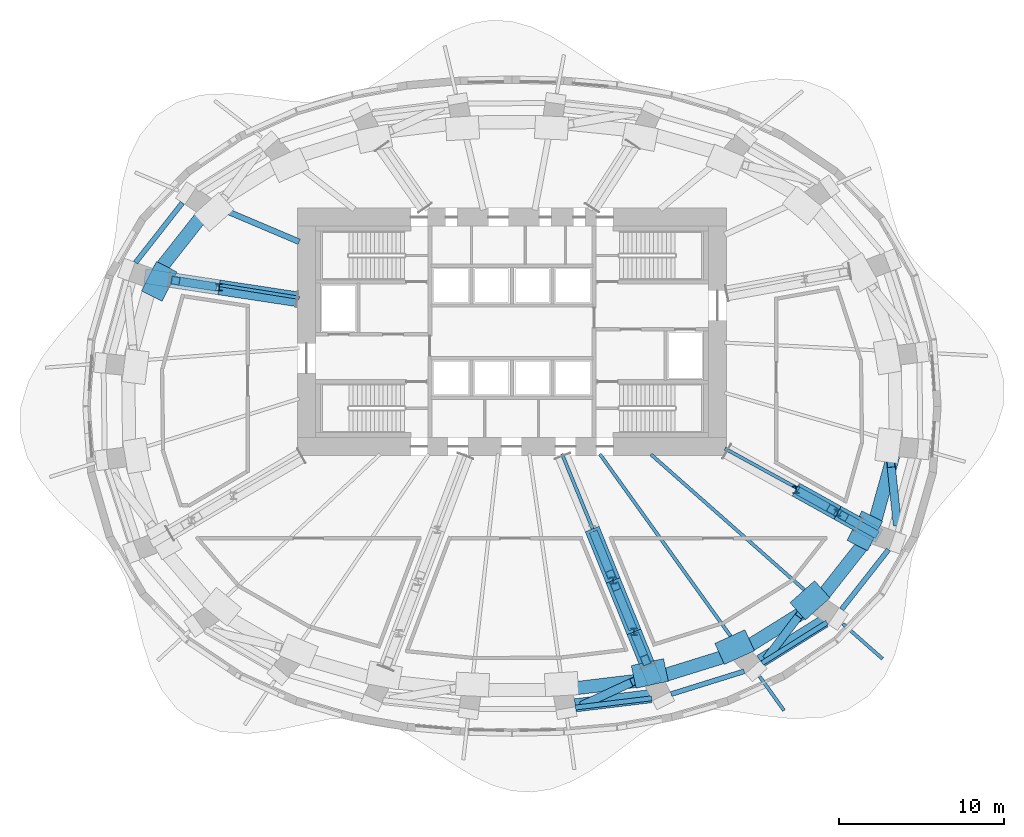
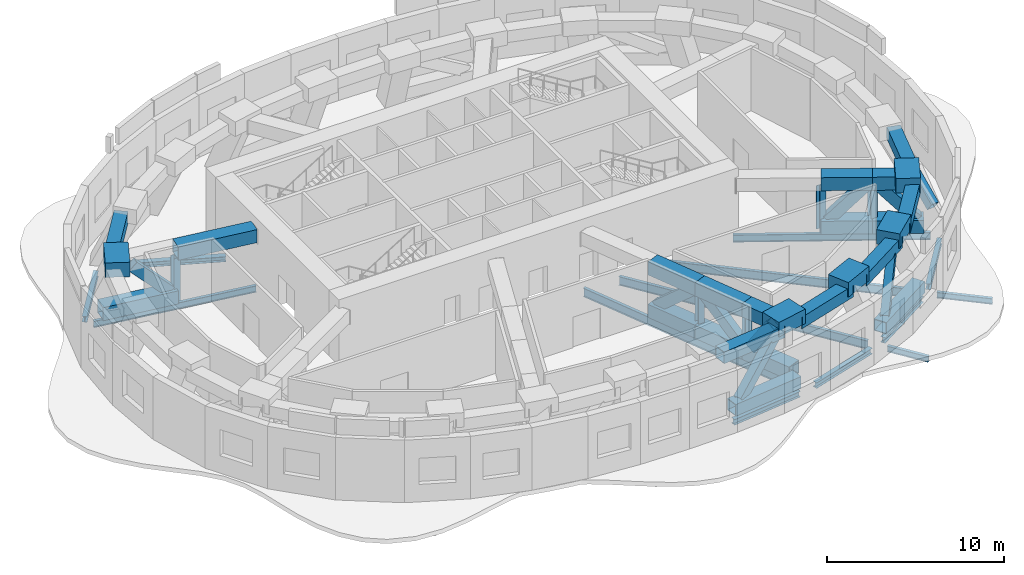
# One storey, part 3 of 11: 34 members, 18 beams.
"""IFC4 building model written with IfcOpenShell, lengths in metres."""

from ifc_helpers import new_model, si_unit, direction, frame, origin, origin_2d, place, context, subcontext, project, spatial, rectangle, hollow_rectangle, i_section, extrude, material, material_profile, profile_set, type_object, element, save


model = new_model("IFC4")

# Units and contexts
model_context = context("Model", 3, precision=1e-05, world=origin(), true_north=direction((0.0, 1.0)))
body_context = subcontext(model_context, "Body", "Model", "MODEL_VIEW")
ifc_project = project(units=[si_unit("LENGTHUNIT", "METRE"), si_unit("AREAUNIT", "SQUARE_METRE"), si_unit("VOLUMEUNIT", "CUBIC_METRE"), si_unit("PLANEANGLEUNIT", "RADIAN"), si_unit("MASSUNIT", "GRAM", prefix="KILO")], contexts=[model_context])

# Site, building, storey
site_placement = place(None, origin())
site = spatial("IfcSite", under=ifc_project, at=site_placement, CompositionType="ELEMENT")
building_placement = place(site_placement, origin())
building = spatial("IfcBuilding", under=site, at=building_placement, Name="Rubra Terraces Tower", CompositionType="ELEMENT")
storey_placement = place(building_placement, frame((0.0, 0.0, 121.199951171875)))
storey = spatial("IfcBuildingStorey", under=building, at=storey_placement, Name="L29", CompositionType="ELEMENT", Elevation=121.199951171875)

# Members
ifc_material_1 = material(Name="Steel Q355B", Category="steel")
ifc_material_profile_1 = material_profile(ifc_material_1, hollow_rectangle(XDim=0.800048828125, YDim=0.800048828125, WallThickness=0.0400390625, at=origin_2d()), Name="BOX 800x800x40")
ifc_profile_set_1 = profile_set([ifc_material_profile_1], Name="Steel Q355B")
member_type_1 = type_object("IfcMemberType", Name="BELT TRUSS BOTTOM CHORD R3 BOX 800x800x40", PredefinedType="CHORD", material=ifc_profile_set_1)
member_1_placement = place(storey_placement, frame((3.826904296875, -18.125, 0.400146484375), z_axis=(0.99273052313, 0.120358250431, 0.0), x_axis=(-0.120358250431, 0.99273052313, 0.0)))
element("IfcMember", 1, at=member_1_placement, inside=storey, type_object=member_type_1, Name="BELT TRUSS CHORD R3", PredefinedType="CHORD", context=body_context, shape_type="SweptSolid", body=[
    extrude(hollow_rectangle(XDim=0.800048828125, YDim=0.800048828125, WallThickness=0.0400390625, at=origin_2d()), origin(), (0.0, 0.0, 1.0), 4.610595703125),
])
member_2_placement = place(storey_placement, frame((15.049072265625, -15.448974609375, 0.400146484375), z_axis=(0.848326493206, 0.529473475185, 0.0), x_axis=(-0.529473475185, 0.848326493206, 0.0)))
element("IfcMember", 2, at=member_2_placement, inside=storey, type_object=member_type_1, Name="BELT TRUSS CHORD R3", PredefinedType="CHORD", context=body_context, shape_type="SweptSolid", body=[
    extrude(hollow_rectangle(XDim=0.800048828125, YDim=0.800048828125, WallThickness=0.0400390625, at=origin_2d()), origin(), (0.0, 0.0, 1.0), 4.594970703125),
])
ifc_material_profile_2 = material_profile(ifc_material_1, hollow_rectangle(XDim=0.5, YDim=0.699951171875, WallThickness=0.030029296875, at=origin_2d()), Name="BOX 700x500x30")
ifc_profile_set_2 = profile_set([ifc_material_profile_2], Name="Steel Q355B")
member_type_2 = type_object("IfcMemberType", Name="BELT TRUSS DIAGONAL R3 BOX 700x500x30", PredefinedType="BRACE", material=ifc_profile_set_2)
member_3_placement = place(storey_placement, frame((4.3759765625, -18.05810546875, 0.699951171875), z_axis=(0.731426800334, 0.33774933468, 0.592402078556), x_axis=(-0.419229807783, 0.907880150827, 0.0)))
element("IfcMember", 3, at=member_3_placement, inside=storey, type_object=member_type_2, Name="BELT TRUSS DIAGONAL R3", PredefinedType="BRACE", context=body_context, shape_type="SweptSolid", body=[
    extrude(hollow_rectangle(XDim=0.5, YDim=0.699951171875, WallThickness=0.030029296875, at=origin_2d()), origin(), (0.0, 0.0, 1.0), 4.142578125),
])
member_4_placement = place(storey_placement, frame((15.51708984375, -15.156982421875, 0.699951171875), z_axis=(0.48074670976, 0.633801994534, 0.605951840314), x_axis=(-0.796732789798, 0.604331748016, 0.0)))
element("IfcMember", 4, at=member_4_placement, inside=storey, type_object=member_type_2, Name="BELT TRUSS DIAGONAL R3", PredefinedType="BRACE", context=body_context, shape_type="SweptSolid", body=[
    extrude(hollow_rectangle(XDim=0.5, YDim=0.699951171875, WallThickness=0.030029296875, at=origin_2d()), origin(), (0.0, 0.0, 1.0), 4.050048828125),
])
member_5_placement = place(storey_placement, frame((23.3310546875, -7.0439453125, 0.699951171875), z_axis=(-0.087038196153, 0.818328598764, 0.568122043979), x_axis=(-0.994391218611, -0.105764381287, 0.0)))
element("IfcMember", 5, at=member_5_placement, inside=storey, type_object=member_type_2, Name="BELT TRUSS DIAGONAL R3", PredefinedType="BRACE", context=body_context, shape_type="SweptSolid", body=[
    extrude(hollow_rectangle(XDim=0.5, YDim=0.699951171875, WallThickness=0.030029296875, at=origin_2d()), origin(), (0.0, 0.0, 1.0), 4.319580078125),
])
ifc_material_profile_3 = material_profile(ifc_material_1, hollow_rectangle(XDim=0.800048828125, YDim=0.800048828125, WallThickness=0.0400390625, at=origin_2d()), Name="BOX 800x800x40")
ifc_profile_set_3 = profile_set([ifc_material_profile_3], Name="Steel Q355B")
member_type_3 = type_object("IfcMemberType", Name="BELT TRUSS TOP CHORD R3 BOX 800x800x40", PredefinedType="CHORD", material=ifc_profile_set_3)
member_6_placement = place(storey_placement, frame((-18.780029296875, 11.530029296875, 3.4541015625), z_axis=(-0.618569378741, -0.785730185041, 0.0), x_axis=(0.785730185041, -0.618569378741, 0.0)))
element("IfcMember", 6, at=member_6_placement, inside=storey, type_object=member_type_3, Name="BELT TRUSS CHORD R3", PredefinedType="CHORD", context=body_context, shape_type="SweptSolid", body=[
    extrude(hollow_rectangle(XDim=0.800048828125, YDim=0.800048828125, WallThickness=0.0400390625, at=origin_2d()), origin(), (0.0, 0.0, 1.0), 4.26611328125),
])
member_7_placement = place(storey_placement, frame((3.654052734375, -17.111083984375, 3.4541015625), z_axis=(0.992808082678, 0.119716794854, 0.0), x_axis=(-0.119716794854, 0.992808082678, 0.0)))
element("IfcMember", 7, at=member_7_placement, inside=storey, type_object=member_type_3, Name="BELT TRUSS CHORD R3", PredefinedType="CHORD", context=body_context, shape_type="SweptSolid", body=[
    extrude(hollow_rectangle(XDim=0.800048828125, YDim=0.800048828125, WallThickness=0.0400390625, at=origin_2d()), origin(), (0.0, 0.0, 1.0), 4.294921875),
])
member_8_placement = place(storey_placement, frame((9.0859375, -16.346923828125, 3.4541015625), z_axis=(0.954906259702, 0.296907452218, 0.0), x_axis=(-0.296907452218, 0.954906259702, 0.0)))
element("IfcMember", 8, at=member_8_placement, inside=storey, type_object=member_type_3, Name="BELT TRUSS CHORD R3", PredefinedType="CHORD", context=body_context, shape_type="SweptSolid", body=[
    extrude(hollow_rectangle(XDim=0.800048828125, YDim=0.800048828125, WallThickness=0.0400390625, at=origin_2d()), origin(), (0.0, 0.0, 1.0), 4.29052734375),
])
member_9_placement = place(storey_placement, frame((14.264892578125, -14.577880859375, 3.4541015625), z_axis=(0.84926804455, 0.527961919561, 0.0), x_axis=(-0.527961919561, 0.84926804455, 0.0)))
element("IfcMember", 9, at=member_9_placement, inside=storey, type_object=member_type_3, Name="BELT TRUSS CHORD R3", PredefinedType="CHORD", context=body_context, shape_type="SweptSolid", body=[
    extrude(hollow_rectangle(XDim=0.800048828125, YDim=0.800048828125, WallThickness=0.0400390625, at=origin_2d()), origin(), (0.0, 0.0, 1.0), 4.2802734375),
])
member_10_placement = place(storey_placement, frame((18.780029296875, -11.530029296875, 3.4541015625), z_axis=(0.618569378741, 0.785730185041, 0.0), x_axis=(-0.785730185041, 0.618569378741, 0.0)))
element("IfcMember", 10, at=member_10_placement, inside=storey, type_object=member_type_3, Name="BELT TRUSS CHORD R3", PredefinedType="CHORD", context=body_context, shape_type="SweptSolid", body=[
    extrude(hollow_rectangle(XDim=0.800048828125, YDim=0.800048828125, WallThickness=0.0400390625, at=origin_2d()), origin(), (0.0, 0.0, 1.0), 4.26611328125),
])
member_11_placement = place(storey_placement, frame((21.949951171875, -7.1279296875, 3.4541015625), z_axis=(0.26783858827, 0.963463798299, 0.0), x_axis=(-0.963463798299, 0.26783858827, 0.0)))
element("IfcMember", 11, at=member_11_placement, inside=storey, type_object=member_type_3, Name="BELT TRUSS CHORD R3", PredefinedType="CHORD", context=body_context, shape_type="SweptSolid", body=[
    extrude(hollow_rectangle(XDim=0.800048828125, YDim=0.800048828125, WallThickness=0.0400390625, at=origin_2d()), origin(), (0.0, 0.0, 1.0), 4.267822265625),
])

# Beams
ifc_material_profile_4 = material_profile(ifc_material_1, i_section(OverallWidth=0.199951171875, OverallDepth=0.39990234375, WebThickness=0.008056640625, FlangeThickness=0.012939453125, at=origin_2d()), Name="HN 400x200x8x13")
ifc_profile_set_4 = profile_set([ifc_material_profile_4], Name="Steel Q355B")
beam_type_1 = type_object("IfcBeamType", Name="CANTILEVER BEAM HN 400x200x8x13", PredefinedType="BEAM", material=ifc_profile_set_4)
beam_1_placement = place(storey_placement, frame((15.0, -16.376953125, -0.5), z_axis=(0.583203525361, -0.812326072465, 0.0), x_axis=(0.812326072465, 0.583203525361, 0.0)))
element("IfcBeam", 12, at=beam_1_placement, inside=storey, type_object=beam_type_1, Name="beam-L29-cant-21", PredefinedType="BEAM", context=body_context, shape_type="SweptSolid", body=[
    extrude(i_section(OverallWidth=0.199951171875, OverallDepth=0.39990234375, WebThickness=0.008056640625, FlangeThickness=0.012939453125, at=origin_2d()), origin(), (0.0, 0.0, 1.0), 2.535888671875),
])
beam_2_placement = place(storey_placement, frame((20.0458984375, -13.18994140625, -0.5), z_axis=(0.749889181916, -0.661563462447, 0.0), x_axis=(0.661563462447, 0.749889181916, 0.0)))
element("IfcBeam", 13, at=beam_2_placement, inside=storey, type_object=beam_type_1, Name="beam-L29-cant-22", PredefinedType="BEAM", context=body_context, shape_type="SweptSolid", body=[
    extrude(i_section(OverallWidth=0.199951171875, OverallDepth=0.39990234375, WebThickness=0.008056640625, FlangeThickness=0.012939453125, at=origin_2d()), origin(), (0.0, 0.0, 1.0), 3.192626953125),
])
ifc_material_profile_5 = material_profile(ifc_material_1, i_section(OverallWidth=0.198974609375, OverallDepth=0.446044921875, WebThickness=0.008056640625, FlangeThickness=0.011962890625, at=origin_2d()), Name="HN 446x199x8x12")
ifc_profile_set_5 = profile_set([ifc_material_profile_5], Name="Steel Q355B")
beam_type_2 = type_object("IfcBeamType", Name="FLOOR BEAM HN 446x199x8x12", PredefinedType="BEAM", material=ifc_profile_set_5)
beam_3_placement = place(storey_placement, frame((-22.56298828125, 8.110107421875, -0.52294921875), z_axis=(0.987438611706, -0.158003126908, 0.0), x_axis=(0.158003126908, 0.987438611706, 0.0)))
element("IfcBeam", 14, at=beam_3_placement, inside=storey, type_object=beam_type_2, Name="beam-L29-floor-11", PredefinedType="BEAM", context=body_context, shape_type="SweptSolid", body=[
    extrude(i_section(OverallWidth=0.198974609375, OverallDepth=0.446044921875, WebThickness=0.008056640625, FlangeThickness=0.011962890625, at=origin_2d()), origin(), (0.0, 0.0, 1.0), 9.803955078125),
])
ifc_material_profile_6 = material_profile(ifc_material_1, i_section(OverallWidth=0.198974609375, OverallDepth=0.49609375, WebThickness=0.009033203125, FlangeThickness=0.013916015625, at=origin_2d()), Name="HN 496x199x9x14")
ifc_profile_set_6 = profile_set([ifc_material_profile_6], Name="Steel Q355B")
beam_type_3 = type_object("IfcBeamType", Name="FLOOR BEAM HN 496x199x9x14", PredefinedType="BEAM", material=ifc_profile_set_6)
beam_4_placement = place(storey_placement, frame((22.658935546875, -7.9208984375, -0.5478515625), z_axis=(-0.876910796921, 0.480653153785, 0.0), x_axis=(-0.480653153785, -0.876910796921, 0.0)))
element("IfcBeam", 15, at=beam_4_placement, inside=storey, type_object=beam_type_3, Name="beam-L29-floor-23", PredefinedType="BEAM", context=body_context, shape_type="SweptSolid", body=[
    extrude(i_section(OverallWidth=0.198974609375, OverallDepth=0.49609375, WebThickness=0.009033203125, FlangeThickness=0.013916015625, at=origin_2d()), origin(), (0.0, 0.0, 1.0), 11.134521484375),
])
ifc_material_profile_7 = material_profile(ifc_material_1, i_section(OverallWidth=0.198974609375, OverallDepth=0.595947265625, WebThickness=0.010009765625, FlangeThickness=0.014892578125, at=origin_2d()), Name="HN 596x199x10x15")
ifc_profile_set_7 = profile_set([ifc_material_profile_7], Name="Steel Q355B")
beam_type_4 = type_object("IfcBeamType", Name="FLOOR BEAM HN 596x199x10x15", PredefinedType="BEAM", material=ifc_profile_set_7)
beam_5_placement = place(storey_placement, frame((8.83203125, -17.06103515625, -0.597900390625), z_axis=(-0.379038143634, 0.925381048904, 0.0), x_axis=(-0.925381048904, -0.379038143634, 0.0)))
element("IfcBeam", 16, at=beam_5_placement, inside=storey, type_object=beam_type_4, Name="beam-L29-floor-20", PredefinedType="BEAM", context=body_context, shape_type="SweptSolid", body=[
    extrude(i_section(OverallWidth=0.198974609375, OverallDepth=0.595947265625, WebThickness=0.010009765625, FlangeThickness=0.014892578125, at=origin_2d()), origin(), (0.0, 0.0, 1.0), 15.31494140625),
])
beam_6_placement = place(storey_placement, frame((14.285888671875, -15.385009765625, -0.597900390625), z_axis=(-0.583480892091, 0.812126867284, 0.0), x_axis=(-0.812126867284, -0.583480892091, 0.0)))
element("IfcBeam", 17, at=beam_6_placement, inside=storey, type_object=beam_type_4, Name="beam-L29-floor-21", PredefinedType="BEAM", context=body_context, shape_type="SweptSolid", body=[
    extrude(i_section(OverallWidth=0.198974609375, OverallDepth=0.595947265625, WebThickness=0.010009765625, FlangeThickness=0.014892578125, at=origin_2d()), origin(), (0.0, 0.0, 1.0), 15.369384765625),
])
beam_7_placement = place(storey_placement, frame((19.139892578125, -12.389892578125, -0.597900390625), z_axis=(-0.749820430817, 0.661641384384, 0.0), x_axis=(-0.661641384384, -0.749820430817, 0.0)))
element("IfcBeam", 18, at=beam_7_placement, inside=storey, type_object=beam_type_4, Name="beam-L29-floor-22", PredefinedType="BEAM", context=body_context, shape_type="SweptSolid", body=[
    extrude(i_section(OverallWidth=0.198974609375, OverallDepth=0.595947265625, WebThickness=0.010009765625, FlangeThickness=0.014892578125, at=origin_2d()), origin(), (0.0, 0.0, 1.0), 14.311279296875),
])
ifc_material_profile_8 = material_profile(ifc_material_1, i_section(OverallWidth=0.35009765625, OverallDepth=0.35009765625, WebThickness=0.011962890625, FlangeThickness=0.01904296875, at=origin_2d()), Name="HW 350x350x12x19")
ifc_profile_set_8 = profile_set([ifc_material_profile_8], Name="Steel Q355B")
beam_type_5 = type_object("IfcBeamType", Name="FLOOR BEAM HW 350x350x12x19", PredefinedType="BEAM", material=ifc_profile_set_8)
beam_8_placement = place(storey_placement, frame((-18.98291015625, 12.531982421875, -0.474853515625), z_axis=(0.920986092, -0.389595454726, 0.0), x_axis=(0.389595454726, 0.920986092, 0.0)))
element("IfcBeam", 19, at=beam_8_placement, inside=storey, type_object=beam_type_5, Name="beam-L29-floor-10", PredefinedType="BEAM", context=body_context, shape_type="SweptSolid", body=[
    extrude(i_section(OverallWidth=0.35009765625, OverallDepth=0.35009765625, WebThickness=0.011962890625, FlangeThickness=0.01904296875, at=origin_2d()), origin(), (0.0, 0.0, 1.0), 6.61669921875),
])

# Members
ifc_material_profile_9 = material_profile(ifc_material_1, hollow_rectangle(XDim=0.89990234375, YDim=0.89990234375, WallThickness=0.044921875, at=origin_2d()), Name="BOX 900x900x45")
ifc_profile_set_9 = profile_set([ifc_material_profile_9], Name="Steel Q355B")
member_type_4 = type_object("IfcMemberType", Name="OUTRIGGER BOTTOM CHORD R3 BOX 900x900x45", PredefinedType="CHORD", material=ifc_profile_set_9)
member_12_placement = place(storey_placement, frame((-17.74609375, 7.194091796875, 0.449951171875), z_axis=(-0.988676701919, 0.1500612511, 0.0), x_axis=(-0.1500612511, -0.988676701919, 0.0)))
element("IfcMember", 20, at=member_12_placement, inside=storey, type_object=member_type_4, Name="OUTRIGGER TRUSS CHORD R3", PredefinedType="CHORD", context=body_context, shape_type="SweptSolid", body=[
    extrude(hollow_rectangle(XDim=0.89990234375, YDim=0.89990234375, WallThickness=0.044921875, at=origin_2d()), origin(), (0.0, 0.0, 1.0), 4.550537109375),
])
member_13_placement = place(storey_placement, frame((4.85791015625, -7.446044921875, 0.449951171875), z_axis=(0.376643919033, -0.926358115555, 0.0), x_axis=(0.926358115555, 0.376643919033, 0.0)))
element("IfcMember", 21, at=member_13_placement, inside=storey, type_object=member_type_4, Name="OUTRIGGER TRUSS CHORD R3", PredefinedType="CHORD", context=body_context, shape_type="SweptSolid", body=[
    extrude(hollow_rectangle(XDim=0.89990234375, YDim=0.89990234375, WallThickness=0.044921875, at=origin_2d()), origin(), (0.0, 0.0, 1.0), 3.361572265625),
])
member_14_placement = place(storey_placement, frame((6.1240234375, -10.56005859375, 0.449951171875), z_axis=(0.376433563669, -0.926443615199, 0.0), x_axis=(0.926443615199, 0.376433563669, 0.0)))
element("IfcMember", 22, at=member_14_placement, inside=storey, type_object=member_type_4, Name="OUTRIGGER TRUSS CHORD R3", PredefinedType="CHORD", context=body_context, shape_type="SweptSolid", body=[
    extrude(hollow_rectangle(XDim=0.89990234375, YDim=0.89990234375, WallThickness=0.044921875, at=origin_2d()), origin(), (0.0, 0.0, 1.0), 3.360107421875),
])
member_15_placement = place(storey_placement, frame((7.388916015625, -13.673095703125, 0.449951171875), z_axis=(0.376643919033, -0.926358115555, 0.0), x_axis=(0.926358115555, 0.376643919033, 0.0)))
element("IfcMember", 23, at=member_15_placement, inside=storey, type_object=member_type_4, Name="OUTRIGGER TRUSS CHORD R3", PredefinedType="CHORD", context=body_context, shape_type="SweptSolid", body=[
    extrude(hollow_rectangle(XDim=0.89990234375, YDim=0.89990234375, WallThickness=0.044921875, at=origin_2d()), origin(), (0.0, 0.0, 1.0), 3.361572265625),
])
member_16_placement = place(storey_placement, frame((17.195068359375, -5.05810546875, 0.449951171875), z_axis=(0.874013964148, -0.485900803121, 0.0), x_axis=(0.485900803121, 0.874013964148, 0.0)))
element("IfcMember", 24, at=member_16_placement, inside=storey, type_object=member_type_4, Name="OUTRIGGER TRUSS CHORD R3", PredefinedType="CHORD", context=body_context, shape_type="SweptSolid", body=[
    extrude(hollow_rectangle(XDim=0.89990234375, YDim=0.89990234375, WallThickness=0.044921875, at=origin_2d()), origin(), (0.0, 0.0, 1.0), 2.8935546875),
])
member_17_placement = place(storey_placement, frame((19.72412109375, -6.464111328125, 0.449951171875), z_axis=(0.874173199415, -0.485614268144, 0.0), x_axis=(0.485614268144, 0.874173199415, 0.0)))
element("IfcMember", 25, at=member_17_placement, inside=storey, type_object=member_type_4, Name="OUTRIGGER TRUSS CHORD R3", PredefinedType="CHORD", context=body_context, shape_type="SweptSolid", body=[
    extrude(hollow_rectangle(XDim=0.89990234375, YDim=0.89990234375, WallThickness=0.044921875, at=origin_2d()), origin(), (0.0, 0.0, 1.0), 2.892822265625),
])
ifc_material_profile_10 = material_profile(ifc_material_1, hollow_rectangle(XDim=0.5, YDim=0.699951171875, WallThickness=0.030029296875, at=origin_2d()), Name="BOX 700x500x30")
ifc_profile_set_10 = profile_set([ifc_material_profile_10], Name="Steel Q355B")
member_type_5 = type_object("IfcMemberType", Name="OUTRIGGER DIAGONAL R3 FALLING BOX 700x500x30", PredefinedType="BRACE", material=ifc_profile_set_10)
member_18_placement = place(storey_placement, frame((6.27392578125, -10.929931640625, 3.01806640625), z_axis=(0.284807559418, -0.700311023916, -0.654560252292), x_axis=(0.926325277957, 0.376724673227, 0.0)))
element("IfcMember", 26, at=member_18_placement, inside=storey, type_object=member_type_5, Name="OUTRIGGER TRUSS DIAGONAL R3", PredefinedType="BRACE", context=body_context, shape_type="SweptSolid", body=[
    extrude(hollow_rectangle(XDim=0.5, YDim=0.699951171875, WallThickness=0.030029296875, at=origin_2d()), origin(), (0.0, 0.0, 1.0), 3.388671875),
])
member_19_placement = place(storey_placement, frame((20.073974609375, -6.657958984375, 3.10009765625), z_axis=(0.588395347725, -0.327008406967, -0.739497408074), x_axis=(0.485781532473, 0.874080261022, 0.0)))
element("IfcMember", 27, at=member_19_placement, inside=storey, type_object=member_type_5, Name="OUTRIGGER TRUSS DIAGONAL R3", PredefinedType="BRACE", context=body_context, shape_type="SweptSolid", body=[
    extrude(hollow_rectangle(XDim=0.5, YDim=0.699951171875, WallThickness=0.030029296875, at=origin_2d()), origin(), (0.0, 0.0, 1.0), 3.1103515625),
])
ifc_material_profile_11 = material_profile(ifc_material_1, hollow_rectangle(XDim=0.5, YDim=0.699951171875, WallThickness=0.030029296875, at=origin_2d()), Name="BOX 700x500x30")
ifc_profile_set_11 = profile_set([ifc_material_profile_11], Name="Steel Q355B")
member_type_6 = type_object("IfcMemberType", Name="OUTRIGGER DIAGONAL R3 RISING BOX 700x500x30", PredefinedType="BRACE", material=ifc_profile_set_11)
member_20_placement = place(storey_placement, frame((-18.14111328125, 7.25390625, 0.800048828125), z_axis=(-0.693613864553, 0.105365770264, 0.712599369461), x_axis=(-0.15018542856, -0.988657846299, 0.0)))
element("IfcMember", 28, at=member_20_placement, inside=storey, type_object=member_type_6, Name="OUTRIGGER TRUSS DIAGONAL R3", PredefinedType="BRACE", context=body_context, shape_type="SweptSolid", body=[
    extrude(hollow_rectangle(XDim=0.5, YDim=0.699951171875, WallThickness=0.030029296875, at=origin_2d()), origin(), (0.0, 0.0, 1.0), 3.227783203125),
])
member_21_placement = place(storey_placement, frame((5.008056640625, -7.81689453125, 0.800048828125), z_axis=(0.284798829102, -0.700178497864, 0.654705810323), x_axis=(0.926304424551, 0.376775945433, 0.0)))
element("IfcMember", 29, at=member_21_placement, inside=storey, type_object=member_type_6, Name="OUTRIGGER TRUSS DIAGONAL R3", PredefinedType="BRACE", context=body_context, shape_type="SweptSolid", body=[
    extrude(hollow_rectangle(XDim=0.5, YDim=0.699951171875, WallThickness=0.030029296875, at=origin_2d()), origin(), (0.0, 0.0, 1.0), 3.3876953125),
])
member_22_placement = place(storey_placement, frame((7.5400390625, -14.0439453125, 0.800048828125), z_axis=(0.206519857282, -0.508200825272, 0.836110919521), x_axis=(0.926426352016, 0.376476047433, 0.0)))
element("IfcMember", 30, at=member_22_placement, inside=storey, type_object=member_type_6, Name="OUTRIGGER TRUSS DIAGONAL R3", PredefinedType="BRACE", context=body_context, shape_type="SweptSolid", body=[
    extrude(hollow_rectangle(XDim=0.5, YDim=0.699951171875, WallThickness=0.030029296875, at=origin_2d()), origin(), (0.0, 0.0, 1.0), 2.65283203125),
])
member_23_placement = place(storey_placement, frame((17.544921875, -5.251953125, 0.800048828125), z_axis=(0.588395347725, -0.327008406967, 0.739497408074), x_axis=(0.485781532473, 0.874080261022, 0.0)))
element("IfcMember", 31, at=member_23_placement, inside=storey, type_object=member_type_6, Name="OUTRIGGER TRUSS DIAGONAL R3", PredefinedType="BRACE", context=body_context, shape_type="SweptSolid", body=[
    extrude(hollow_rectangle(XDim=0.5, YDim=0.699951171875, WallThickness=0.030029296875, at=origin_2d()), origin(), (0.0, 0.0, 1.0), 3.1103515625),
])
ifc_material_profile_12 = material_profile(ifc_material_1, i_section(OverallWidth=0.405029296875, OverallDepth=0.4140625, WebThickness=0.01806640625, FlangeThickness=0.028076171875, at=origin_2d()), Name="HW 414x405x18x28")
ifc_profile_set_12 = profile_set([ifc_material_profile_12], Name="Steel Q355B")
member_type_7 = type_object("IfcMemberType", Name="OUTRIGGER POST R3 HW 414x405x18x28", PredefinedType="POST", material=ifc_profile_set_12)
member_24_placement = place(storey_placement, frame((-17.74609375, 7.194091796875, 0.0), z_axis=(0.0, 0.0, 1.0), x_axis=(1.0, 0.0, 0.0)))
element("IfcMember", 32, at=member_24_placement, inside=storey, type_object=member_type_7, Name="OUTRIGGER TRUSS POST R3", PredefinedType="POST", context=body_context, shape_type="SweptSolid", body=[
    extrude(i_section(OverallWidth=0.405029296875, OverallDepth=0.4140625, WebThickness=0.01806640625, FlangeThickness=0.028076171875, at=origin_2d()), origin(), (0.0, 0.0, 1.0), 3.0),
])
for number, where, z_axis, x_axis, name in (
    (33, (6.1240234375, -10.56005859375, 0.900146484375), (0.0, 0.0, 1.0), (1.0, 0.0, 0.0), "OUTRIGGER TRUSS POST R3"),
    (34, (7.388916015625, -13.673095703125, 0.900146484375), (0.0, 0.0, 1.0), (1.0, 0.0, 0.0), "OUTRIGGER TRUSS POST R3"),
):
    element("IfcMember", number, at=place(storey_placement, frame(where, z_axis=z_axis, x_axis=x_axis)), inside=storey, type_object=member_type_7, Name=name, PredefinedType="POST", context=body_context, shape_type="SweptSolid", body=[
        extrude(i_section(OverallWidth=0.405029296875, OverallDepth=0.4140625, WebThickness=0.01806640625, FlangeThickness=0.028076171875, at=origin_2d()), origin(), (0.0, 0.0, 1.0), 2.017822265625),
    ])
member_25_placement = place(storey_placement, frame((17.195068359375, -5.05810546875, 0.0), z_axis=(0.0, 0.0, 1.0), x_axis=(1.0, 0.0, 0.0)))
element("IfcMember", 35, at=member_25_placement, inside=storey, type_object=member_type_7, Name="OUTRIGGER TRUSS POST R3", PredefinedType="POST", context=body_context, shape_type="SweptSolid", body=[
    extrude(i_section(OverallWidth=0.405029296875, OverallDepth=0.4140625, WebThickness=0.01806640625, FlangeThickness=0.028076171875, at=origin_2d()), origin(), (0.0, 0.0, 1.0), 3.0),
])
member_26_placement = place(storey_placement, frame((19.72412109375, -6.464111328125, 0.900146484375), z_axis=(0.0, 0.0, 1.0), x_axis=(1.0, 0.0, 0.0)))
element("IfcMember", 36, at=member_26_placement, inside=storey, type_object=member_type_7, Name="OUTRIGGER TRUSS POST R3", PredefinedType="POST", context=body_context, shape_type="SweptSolid", body=[
    extrude(i_section(OverallWidth=0.405029296875, OverallDepth=0.4140625, WebThickness=0.01806640625, FlangeThickness=0.028076171875, at=origin_2d()), origin(), (0.0, 0.0, 1.0), 2.099853515625),
])
ifc_material_profile_13 = material_profile(ifc_material_1, hollow_rectangle(XDim=0.89990234375, YDim=0.89990234375, WallThickness=0.044921875, at=origin_2d()), Name="BOX 900x900x45")
ifc_profile_set_13 = profile_set([ifc_material_profile_13], Name="Steel Q355B")
member_type_8 = type_object("IfcMemberType", Name="OUTRIGGER TOP CHORD R3 BOX 900x900x45", PredefinedType="CHORD", material=ifc_profile_set_13)
member_27_placement = place(storey_placement, frame((-13.030029296875, 6.47802734375, 3.449951171875), z_axis=(-0.988668593285, 0.150114665015, 0.0), x_axis=(-0.150114665015, -0.988668593285, 0.0)))
element("IfcMember", 37, at=member_27_placement, inside=storey, type_object=member_type_8, Name="OUTRIGGER TRUSS CHORD R3", PredefinedType="CHORD", context=body_context, shape_type="SweptSolid", body=[
    extrude(hollow_rectangle(XDim=0.89990234375, YDim=0.89990234375, WallThickness=0.044921875, at=origin_2d()), origin(), (0.0, 0.0, 1.0), 4.77001953125),
])
member_28_placement = place(storey_placement, frame((4.85791015625, -7.446044921875, 3.3681640625), z_axis=(0.376643919033, -0.926358115555, 0.0), x_axis=(0.926358115555, 0.376643919033, 0.0)))
element("IfcMember", 38, at=member_28_placement, inside=storey, type_object=member_type_8, Name="OUTRIGGER TRUSS CHORD R3", PredefinedType="CHORD", context=body_context, shape_type="SweptSolid", body=[
    extrude(hollow_rectangle(XDim=0.89990234375, YDim=0.89990234375, WallThickness=0.044921875, at=origin_2d()), origin(), (0.0, 0.0, 1.0), 3.361572265625),
])
member_29_placement = place(storey_placement, frame((6.1240234375, -10.56005859375, 3.3681640625), z_axis=(0.376433563669, -0.926443615199, 0.0), x_axis=(0.926443615199, 0.376433563669, 0.0)))
element("IfcMember", 39, at=member_29_placement, inside=storey, type_object=member_type_8, Name="OUTRIGGER TRUSS CHORD R3", PredefinedType="CHORD", context=body_context, shape_type="SweptSolid", body=[
    extrude(hollow_rectangle(XDim=0.89990234375, YDim=0.89990234375, WallThickness=0.044921875, at=origin_2d()), origin(), (0.0, 0.0, 1.0), 3.360107421875),
])
member_30_placement = place(storey_placement, frame((7.388916015625, -13.673095703125, 3.3681640625), z_axis=(0.376924119318, -0.926244140751, 0.0), x_axis=(0.926244140751, 0.376924119318, 0.0)))
element("IfcMember", 40, at=member_30_placement, inside=storey, type_object=member_type_8, Name="OUTRIGGER TRUSS CHORD R3", PredefinedType="CHORD", context=body_context, shape_type="SweptSolid", body=[
    extrude(hollow_rectangle(XDim=0.89990234375, YDim=0.89990234375, WallThickness=0.044921875, at=origin_2d()), origin(), (0.0, 0.0, 1.0), 2.226318359375),
])
member_31_placement = place(storey_placement, frame((17.195068359375, -5.05810546875, 3.449951171875), z_axis=(0.874013964148, -0.485900803121, 0.0), x_axis=(0.485900803121, 0.874013964148, 0.0)))
element("IfcMember", 41, at=member_31_placement, inside=storey, type_object=member_type_8, Name="OUTRIGGER TRUSS CHORD R3", PredefinedType="CHORD", context=body_context, shape_type="SweptSolid", body=[
    extrude(hollow_rectangle(XDim=0.89990234375, YDim=0.89990234375, WallThickness=0.044921875, at=origin_2d()), origin(), (0.0, 0.0, 1.0), 2.8935546875),
])
member_32_placement = place(storey_placement, frame((19.72412109375, -6.464111328125, 3.449951171875), z_axis=(0.874300186519, -0.485385603261, 0.0), x_axis=(0.485385603261, 0.874300186519, 0.0)))
element("IfcMember", 42, at=member_32_placement, inside=storey, type_object=member_type_8, Name="OUTRIGGER TRUSS CHORD R3", PredefinedType="CHORD", context=body_context, shape_type="SweptSolid", body=[
    extrude(hollow_rectangle(XDim=0.89990234375, YDim=0.89990234375, WallThickness=0.044921875, at=origin_2d()), origin(), (0.0, 0.0, 1.0), 1.4501953125),
])

# Beams
ifc_material_profile_14 = material_profile(ifc_material_1, i_section(OverallWidth=0.300048828125, OverallDepth=0.389892578125, WebThickness=0.010009765625, FlangeThickness=0.01611328125, at=origin_2d()), Name="HM 390x300x10x16")
ifc_profile_set_14 = profile_set([ifc_material_profile_14], Name="Steel Q355B")
beam_type_6 = type_object("IfcBeamType", Name="SPANDREL BEAM HM 390x300x10x16", PredefinedType="SPANDREL", material=ifc_profile_set_14)
beam_9_placement = place(storey_placement, frame((-19.968994140625, 12.31103515625, -0.494873046875), z_axis=(-0.61694919408, -0.787002980886, 0.0), x_axis=(0.787002980886, -0.61694919408, 0.0)))
element("IfcBeam", 43, at=beam_9_placement, inside=storey, type_object=beam_type_6, Name="beam-L29-spandrel-10", PredefinedType="SPANDREL", context=body_context, shape_type="SweptSolid", body=[
    extrude(i_section(OverallWidth=0.300048828125, OverallDepth=0.389892578125, WebThickness=0.010009765625, FlangeThickness=0.01611328125, at=origin_2d()), origin(), (0.0, 0.0, 1.0), 4.599853515625),
])
beam_10_placement = place(storey_placement, frame((3.85107421875, -18.258056640625, -0.494873046875), z_axis=(0.992713612833, 0.120497646851, 0.0), x_axis=(-0.120497646851, 0.992713612833, 0.0)))
element("IfcBeam", 44, at=beam_10_placement, inside=storey, type_object=beam_type_6, Name="beam-L29-spandrel-19", PredefinedType="SPANDREL", context=body_context, shape_type="SweptSolid", body=[
    extrude(i_section(OverallWidth=0.300048828125, OverallDepth=0.389892578125, WebThickness=0.010009765625, FlangeThickness=0.01611328125, at=origin_2d()), origin(), (0.0, 0.0, 1.0), 4.64794921875),
])
beam_11_placement = place(storey_placement, frame((9.637939453125, -17.445068359375, -0.494873046875), z_axis=(0.954462184919, 0.298331925142, 0.0), x_axis=(-0.298331925142, 0.954462184919, 0.0)))
element("IfcBeam", 45, at=beam_11_placement, inside=storey, type_object=beam_type_6, Name="beam-L29-spandrel-20", PredefinedType="SPANDREL", context=body_context, shape_type="SweptSolid", body=[
    extrude(i_section(OverallWidth=0.300048828125, OverallDepth=0.389892578125, WebThickness=0.010009765625, FlangeThickness=0.01611328125, at=origin_2d()), origin(), (0.0, 0.0, 1.0), 4.63916015625),
])
beam_12_placement = place(storey_placement, frame((15.156005859375, -15.56103515625, -0.494873046875), z_axis=(0.848188188849, 0.529695003089, 0.0), x_axis=(-0.529695003089, 0.848188188849, 0.0)))
element("IfcBeam", 46, at=beam_12_placement, inside=storey, type_object=beam_type_6, Name="beam-L29-spandrel-21", PredefinedType="SPANDREL", context=body_context, shape_type="SweptSolid", body=[
    extrude(i_section(OverallWidth=0.300048828125, OverallDepth=0.389892578125, WebThickness=0.010009765625, FlangeThickness=0.01611328125, at=origin_2d()), origin(), (0.0, 0.0, 1.0), 4.62158203125),
])
beam_13_placement = place(storey_placement, frame((19.968994140625, -12.31103515625, -0.494873046875), z_axis=(0.61694919408, 0.787002980886, 0.0), x_axis=(-0.787002980886, 0.61694919408, 0.0)))
element("IfcBeam", 47, at=beam_13_placement, inside=storey, type_object=beam_type_6, Name="beam-L29-spandrel-22", PredefinedType="SPANDREL", context=body_context, shape_type="SweptSolid", body=[
    extrude(i_section(OverallWidth=0.300048828125, OverallDepth=0.389892578125, WebThickness=0.010009765625, FlangeThickness=0.01611328125, at=origin_2d()), origin(), (0.0, 0.0, 1.0), 4.599853515625),
])
ifc_material_2 = material(Name="Concrete C60", Category="concrete")
ifc_material_profile_15 = material_profile(ifc_material_2, rectangle(XDim=1.39990234375, YDim=1.0, at=origin_2d()), Name="RC 1400x1000")
ifc_profile_set_15 = profile_set([ifc_material_profile_15], Name="Concrete C60")
beam_type_7 = type_object("IfcBeamType", Name="TRANSFER NODE RC 1400x1000 C60", PredefinedType="BEAM", material=ifc_profile_set_15)
beam_14_placement = place(storey_placement, frame((-20.9150390625, 8.446044921875, 3.800048828125), z_axis=(-0.452041206704, -0.891997055736, 0.0), x_axis=(0.891997055736, -0.452041206704, 0.0)))
element("IfcBeam", 48, at=beam_14_placement, inside=storey, type_object=beam_type_7, Name="node-L29-hi-11", PredefinedType="BEAM", context=body_context, shape_type="SweptSolid", body=[
    extrude(rectangle(XDim=1.39990234375, YDim=1.0, at=origin_2d()), origin(), (0.0, 0.0, 1.0), 2.0),
])
beam_15_placement = place(storey_placement, frame((7.368896484375, -16.40087890625, 3.800048828125), z_axis=(0.977923711763, 0.208962230971, 0.0), x_axis=(-0.208962230971, 0.977923711763, 0.0)))
element("IfcBeam", 49, at=beam_15_placement, inside=storey, type_object=beam_type_7, Name="node-L29-hi-20", PredefinedType="BEAM", context=body_context, shape_type="SweptSolid", body=[
    extrude(rectangle(XDim=1.39990234375, YDim=1.0, at=origin_2d()), origin(), (0.0, 0.0, 1.0), 2.000244140625),
])
beam_16_placement = place(storey_placement, frame((12.576904296875, -15.010986328125, 3.800048828125), z_axis=(0.90984330021, 0.414952008144, 0.0), x_axis=(-0.414952008144, 0.90984330021, 0.0)))
element("IfcBeam", 50, at=beam_16_placement, inside=storey, type_object=beam_type_7, Name="node-L29-hi-21", PredefinedType="BEAM", context=body_context, shape_type="SweptSolid", body=[
    extrude(rectangle(XDim=1.39990234375, YDim=1.0, at=origin_2d()), origin(), (0.0, 0.0, 1.0), 2.00048828125),
])
beam_17_placement = place(storey_placement, frame((17.304931640625, -12.428955078125, 3.800048828125), z_axis=(0.746006958432, 0.665938148758, 0.0), x_axis=(-0.665938148758, 0.746006958432, 0.0)))
element("IfcBeam", 51, at=beam_17_placement, inside=storey, type_object=beam_type_7, Name="node-L29-hi-22", PredefinedType="BEAM", context=body_context, shape_type="SweptSolid", body=[
    extrude(rectangle(XDim=1.39990234375, YDim=1.0, at=origin_2d()), origin(), (0.0, 0.0, 1.0), 2.000244140625),
])
beam_18_placement = place(storey_placement, frame((20.9150390625, -8.446044921875, 3.800048828125), z_axis=(0.452041206704, 0.891997055736, 0.0), x_axis=(-0.891997055736, 0.452041206704, 0.0)))
element("IfcBeam", 52, at=beam_18_placement, inside=storey, type_object=beam_type_7, Name="node-L29-hi-23", PredefinedType="BEAM", context=body_context, shape_type="SweptSolid", body=[
    extrude(rectangle(XDim=1.39990234375, YDim=1.0, at=origin_2d()), origin(), (0.0, 0.0, 1.0), 2.0),
])

save(model, "model.ifc")
